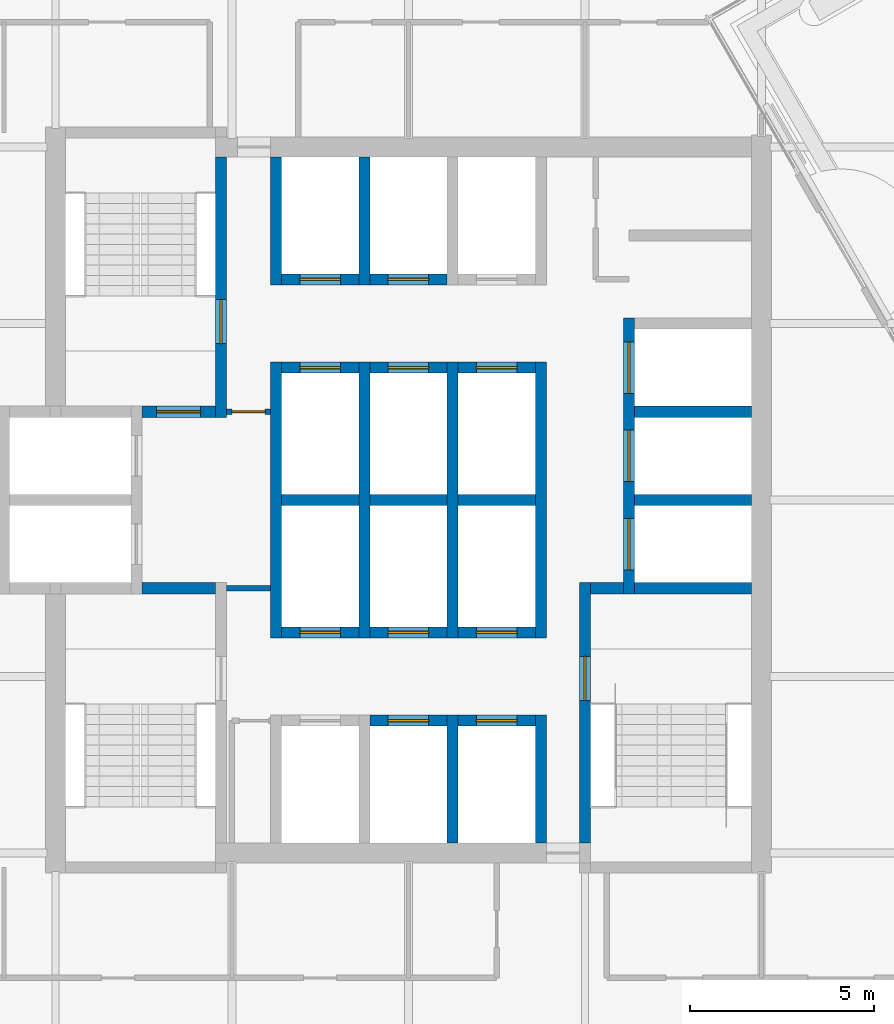
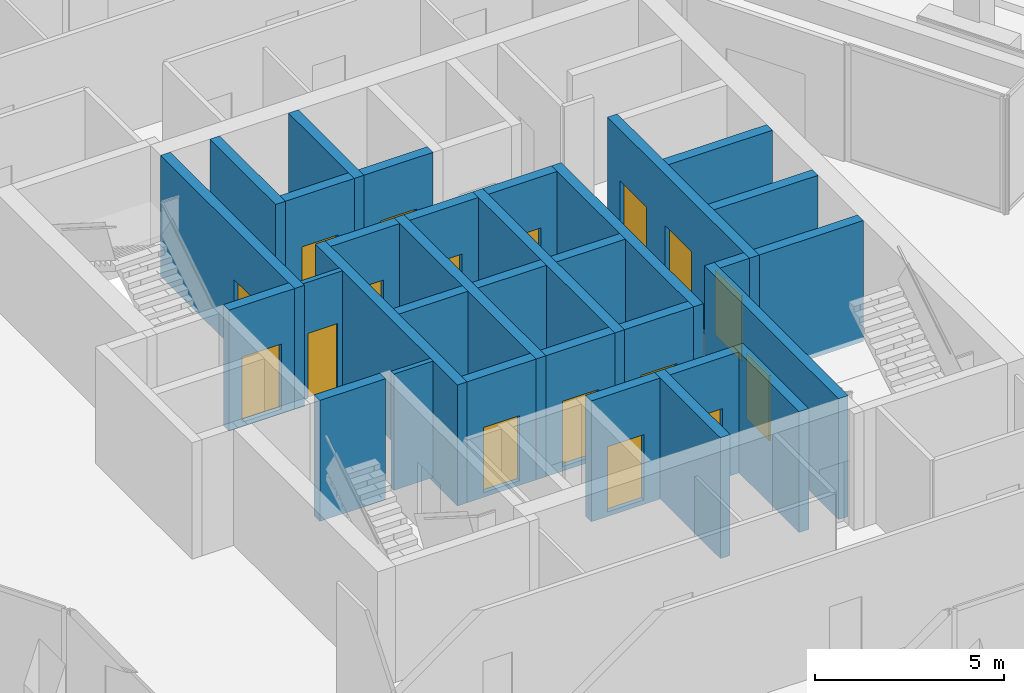
# One storey, part 12 of 17: 32 walls, 17 doors, 17 openings.
"""IFC4 building model written with IfcOpenShell, lengths in metres."""

from ifc_helpers import new_model, si_unit, direction, frame, frame_2d, origin, place, context, subcontext, project, spatial, rectangle, extrude, material, layer, layer_set, type_object, element, fill, save


model = new_model("IFC4")

# Units and contexts
model_context = context("Model", 3, precision=1e-05, world=origin(), true_north=direction((0.0, 1.0)))
body_context = subcontext(model_context, "Body", "Model", "MODEL_VIEW")
ifc_project = project(units=[si_unit("LENGTHUNIT", "METRE"), si_unit("AREAUNIT", "SQUARE_METRE"), si_unit("VOLUMEUNIT", "CUBIC_METRE"), si_unit("PLANEANGLEUNIT", "RADIAN"), si_unit("MASSUNIT", "GRAM", prefix="KILO")], contexts=[model_context])

# Site, building, storey
site_placement = place(None, origin())
site = spatial("IfcSite", under=ifc_project, at=site_placement, CompositionType="ELEMENT")
building_placement = place(site_placement, origin())
building = spatial("IfcBuilding", under=site, at=building_placement, Name="Kolab Exchange Tower", CompositionType="ELEMENT")
storey_placement = place(building_placement, frame((0.0, 0.0, 285.199951171875)))
storey = spatial("IfcBuildingStorey", under=building, at=storey_placement, Name="L64", CompositionType="ELEMENT", Elevation=285.199951171875)

# Wall, opening, door
ifc_material_1 = material(Name="Concrete C50/60", Category="concrete")
ifc_layer_1 = layer(ifc_material_1, 0.300048828125)
ifc_layer_set_1 = layer_set([ifc_layer_1], Name="Concrete C50/60")
wall_type_1 = type_object("IfcWallType", Name="LIFT SHAFT WALL 300 C50/60", PredefinedType="STANDARD", material=ifc_layer_set_1)
wall_1_placement = place(storey_placement, frame((-1.050048828125, -6.0, -0.14990234375), z_axis=(0.0, 0.0, 1.0), x_axis=(1.0, 0.0, 0.0)))
wall_1 = element("IfcWall", 1, at=wall_1_placement, inside=storey, type_object=wall_type_1, Name="wall/L64/core/004", PredefinedType="STANDARD", context=body_context, shape_type="SweptSolid", body=[
    extrude(rectangle(XDim=2.10009765625, YDim=0.300048828125, at=frame_2d((1.050048828125, 0.0))), origin(), (0.0, 0.0, 1.0), 3.89990234375),
])
opening_1_placement = place(wall_1_placement, frame((0.5, 0.0, 0.14990234375)))
opening_1 = element("IfcOpeningElement", 2, at=opening_1_placement, cuts=wall_1, Name="Opening LD1-111", PredefinedType="OPENING", context=body_context, shape_type="SweptSolid", body=[
    extrude(rectangle(XDim=1.10009765625, YDim=2.10009765625, at=frame_2d((0.550048828125, 1.050048828125))), frame((0.0, 0.16015625, 0.0), z_axis=(0.0, -1.0, 0.0), x_axis=(1.0, 0.0, 0.0)), (0.0, 0.0, 1.0), 0.320068359375),
])
ifc_material_2 = material(Name="Stainless steel 316", Category="steel")
door_type_1 = type_object("IfcDoorType", Name="LANDING DOOR 1100 PASSENGER", OperationType="DOUBLE_DOOR_SLIDING", PredefinedType="DOOR", material=ifc_material_2)
door_1_placement = place(opening_1_placement, origin())
door_1 = element("IfcDoor", 3, at=door_1_placement, inside=storey, type_object=door_type_1, Name="Landing door HR11", OperationType="DOUBLE_DOOR_SLIDING", OverallHeight=2.10009765625, OverallWidth=1.10009765625, PredefinedType="DOOR", context=body_context, shape_type="SweptSolid", body=[
    extrude(rectangle(XDim=1.10009765625, YDim=2.10009765625, at=frame_2d((0.550048828125, 1.050048828125))), frame((0.0, 0.02490234375, 0.0), z_axis=(0.0, -1.0, 0.0), x_axis=(1.0, 0.0, 0.0)), (0.0, 0.0, 1.0), 0.050048828125),
])
fill(opening_1, door_1)

wall_2_placement = place(storey_placement, frame((1.35009765625, -6.0, -0.14990234375), z_axis=(0.0, 0.0, 1.0), x_axis=(1.0, 0.0, 0.0)))
wall_2 = element("IfcWall", 4, at=wall_2_placement, inside=storey, type_object=wall_type_1, Name="wall/L64/core/005", PredefinedType="STANDARD", context=body_context, shape_type="SweptSolid", body=[
    extrude(rectangle(XDim=2.099853515625, YDim=0.300048828125, at=frame_2d((1.0498046875, 0.0))), origin(), (0.0, 0.0, 1.0), 3.89990234375),
])
opening_2_placement = place(wall_2_placement, frame((0.5, 0.0, 0.14990234375)))
opening_2 = element("IfcOpeningElement", 5, at=opening_2_placement, cuts=wall_2, Name="Opening LD1-112", PredefinedType="OPENING", context=body_context, shape_type="SweptSolid", body=[
    extrude(rectangle(XDim=1.10009765625, YDim=2.10009765625, at=frame_2d((0.550048828125, 1.050048828125))), frame((0.0, 0.16015625, 0.0), z_axis=(0.0, -1.0, 0.0), x_axis=(1.0, 0.0, 0.0)), (0.0, 0.0, 1.0), 0.320068359375),
])
door_2_placement = place(opening_2_placement, origin())
door_2 = element("IfcDoor", 6, at=door_2_placement, inside=storey, type_object=door_type_1, Name="Landing door HR12", OperationType="DOUBLE_DOOR_SLIDING", OverallHeight=2.10009765625, OverallWidth=1.10009765625, PredefinedType="DOOR", context=body_context, shape_type="SweptSolid", body=[
    extrude(rectangle(XDim=1.10009765625, YDim=2.10009765625, at=frame_2d((0.550048828125, 1.050048828125))), frame((0.0, 0.02490234375, 0.0), z_axis=(0.0, -1.0, 0.0), x_axis=(1.0, 0.0, 0.0)), (0.0, 0.0, 1.0), 0.050048828125),
])
fill(opening_2, door_2)

wall_3_placement = place(storey_placement, frame((-3.449951171875, -3.60009765625, -0.14990234375), z_axis=(0.0, 0.0, 1.0), x_axis=(1.0, 0.0, 0.0)))
wall_3 = element("IfcWall", 7, at=wall_3_placement, inside=storey, type_object=wall_type_1, Name="wall/L64/core/006", PredefinedType="STANDARD", context=body_context, shape_type="SweptSolid", body=[
    extrude(rectangle(XDim=2.099853515625, YDim=0.300048828125, at=frame_2d((1.0498046875, 0.0))), origin(), (0.0, 0.0, 1.0), 3.89990234375),
])
opening_3_placement = place(wall_3_placement, frame((0.5, 0.0, 0.14990234375)))
opening_3 = element("IfcOpeningElement", 8, at=opening_3_placement, cuts=wall_3, Name="Opening LD1-118", PredefinedType="OPENING", context=body_context, shape_type="SweptSolid", body=[
    extrude(rectangle(XDim=1.10009765625, YDim=2.10009765625, at=frame_2d((0.550048828125, 1.050048828125))), frame((0.0, 0.16015625, 0.0), z_axis=(0.0, -1.0, 0.0), x_axis=(1.0, 0.0, 0.0)), (0.0, 0.0, 1.0), 0.320068359375),
])
door_3_placement = place(opening_3_placement, origin())
door_3 = element("IfcDoor", 9, at=door_3_placement, inside=storey, type_object=door_type_1, Name="Landing door HR7", OperationType="DOUBLE_DOOR_SLIDING", OverallHeight=2.10009765625, OverallWidth=1.10009765625, PredefinedType="DOOR", context=body_context, shape_type="SweptSolid", body=[
    extrude(rectangle(XDim=1.10009765625, YDim=2.10009765625, at=frame_2d((0.550048828125, 1.050048828125))), frame((0.0, 0.02490234375, 0.0), z_axis=(0.0, -1.0, 0.0), x_axis=(1.0, 0.0, 0.0)), (0.0, 0.0, 1.0), 0.050048828125),
])
fill(opening_3, door_3)

wall_4_placement = place(storey_placement, frame((-1.050048828125, -3.60009765625, -0.14990234375), z_axis=(0.0, 0.0, 1.0), x_axis=(1.0, 0.0, 0.0)))
wall_4 = element("IfcWall", 10, at=wall_4_placement, inside=storey, type_object=wall_type_1, Name="wall/L64/core/007", PredefinedType="STANDARD", context=body_context, shape_type="SweptSolid", body=[
    extrude(rectangle(XDim=2.10009765625, YDim=0.300048828125, at=frame_2d((1.050048828125, 0.0))), origin(), (0.0, 0.0, 1.0), 3.89990234375),
])
opening_4_placement = place(wall_4_placement, frame((0.5, 0.0, 0.14990234375)))
opening_4 = element("IfcOpeningElement", 11, at=opening_4_placement, cuts=wall_4, Name="Opening LD1-119", PredefinedType="OPENING", context=body_context, shape_type="SweptSolid", body=[
    extrude(rectangle(XDim=1.10009765625, YDim=2.10009765625, at=frame_2d((0.550048828125, 1.050048828125))), frame((0.0, 0.16015625, 0.0), z_axis=(0.0, -1.0, 0.0), x_axis=(1.0, 0.0, 0.0)), (0.0, 0.0, 1.0), 0.320068359375),
])
door_4_placement = place(opening_4_placement, origin())
door_4 = element("IfcDoor", 12, at=door_4_placement, inside=storey, type_object=door_type_1, Name="Landing door HR8", OperationType="DOUBLE_DOOR_SLIDING", OverallHeight=2.10009765625, OverallWidth=1.10009765625, PredefinedType="DOOR", context=body_context, shape_type="SweptSolid", body=[
    extrude(rectangle(XDim=1.10009765625, YDim=2.10009765625, at=frame_2d((0.550048828125, 1.050048828125))), frame((0.0, 0.02490234375, 0.0), z_axis=(0.0, -1.0, 0.0), x_axis=(1.0, 0.0, 0.0)), (0.0, 0.0, 1.0), 0.050048828125),
])
fill(opening_4, door_4)

wall_5_placement = place(storey_placement, frame((1.35009765625, -3.60009765625, -0.14990234375), z_axis=(0.0, 0.0, 1.0), x_axis=(1.0, 0.0, 0.0)))
wall_5 = element("IfcWall", 13, at=wall_5_placement, inside=storey, type_object=wall_type_1, Name="wall/L64/core/008", PredefinedType="STANDARD", context=body_context, shape_type="SweptSolid", body=[
    extrude(rectangle(XDim=2.099853515625, YDim=0.300048828125, at=frame_2d((1.0498046875, 0.0))), origin(), (0.0, 0.0, 1.0), 3.89990234375),
])
opening_5_placement = place(wall_5_placement, frame((0.5, 0.0, 0.14990234375)))
opening_5 = element("IfcOpeningElement", 14, at=opening_5_placement, cuts=wall_5, Name="Opening LD1-120", PredefinedType="OPENING", context=body_context, shape_type="SweptSolid", body=[
    extrude(rectangle(XDim=1.10009765625, YDim=2.10009765625, at=frame_2d((0.550048828125, 1.050048828125))), frame((0.0, 0.16015625, 0.0), z_axis=(0.0, -1.0, 0.0), x_axis=(1.0, 0.0, 0.0)), (0.0, 0.0, 1.0), 0.320068359375),
])
door_5_placement = place(opening_5_placement, origin())
door_5 = element("IfcDoor", 15, at=door_5_placement, inside=storey, type_object=door_type_1, Name="Landing door HR9", OperationType="DOUBLE_DOOR_SLIDING", OverallHeight=2.10009765625, OverallWidth=1.10009765625, PredefinedType="DOOR", context=body_context, shape_type="SweptSolid", body=[
    extrude(rectangle(XDim=1.10009765625, YDim=2.10009765625, at=frame_2d((0.550048828125, 1.050048828125))), frame((0.0, 0.02490234375, 0.0), z_axis=(0.0, -1.0, 0.0), x_axis=(1.0, 0.0, 0.0)), (0.0, 0.0, 1.0), 0.050048828125),
])
fill(opening_5, door_5)

# Walls
wall_6_placement = place(storey_placement, frame((-3.449951171875, 0.0, -0.14990234375), z_axis=(0.0, 0.0, 1.0), x_axis=(1.0, 0.0, 0.0)))
element("IfcWall", 16, at=wall_6_placement, inside=storey, type_object=wall_type_1, Name="wall/L64/core/015", PredefinedType="STANDARD", context=body_context, shape_type="SweptSolid", body=[
    extrude(rectangle(XDim=2.099853515625, YDim=0.300048828125, at=frame_2d((1.0498046875, 0.0))), origin(), (0.0, 0.0, 1.0), 3.89990234375),
])
wall_7_placement = place(storey_placement, frame((-1.050048828125, 0.0, -0.14990234375), z_axis=(0.0, 0.0, 1.0), x_axis=(1.0, 0.0, 0.0)))
element("IfcWall", 17, at=wall_7_placement, inside=storey, type_object=wall_type_1, Name="wall/L64/core/016", PredefinedType="STANDARD", context=body_context, shape_type="SweptSolid", body=[
    extrude(rectangle(XDim=2.10009765625, YDim=0.300048828125, at=frame_2d((1.050048828125, 0.0))), origin(), (0.0, 0.0, 1.0), 3.89990234375),
])
wall_8_placement = place(storey_placement, frame((1.35009765625, 0.0, -0.14990234375), z_axis=(0.0, 0.0, 1.0), x_axis=(1.0, 0.0, 0.0)))
element("IfcWall", 18, at=wall_8_placement, inside=storey, type_object=wall_type_1, Name="wall/L64/core/017", PredefinedType="STANDARD", context=body_context, shape_type="SweptSolid", body=[
    extrude(rectangle(XDim=2.099853515625, YDim=0.300048828125, at=frame_2d((1.0498046875, 0.0))), origin(), (0.0, 0.0, 1.0), 3.89990234375),
])
for number, where, z_axis, x_axis, name in (
    (19, (6.14990234375, 0.0, -0.14990234375), (0.0, 0.0, 1.0), (1.0, 0.0, 0.0), "wall/L64/core/018"),
    (20, (6.14990234375, 2.39990234375, -0.14990234375), (0.0, 0.0, 1.0), (1.0, 0.0, 0.0), "wall/L64/core/022"),
):
    element("IfcWall", number, at=place(storey_placement, frame(where, z_axis=z_axis, x_axis=x_axis)), inside=storey, type_object=wall_type_1, Name=name, PredefinedType="STANDARD", context=body_context, shape_type="SweptSolid", body=[
        extrude(rectangle(XDim=3.175048828125, YDim=0.300048828125, at=frame_2d((1.58740234375, 0.0))), origin(), (0.0, 0.0, 1.0), 3.89990234375),
    ])

# Wall, opening, door
wall_9_placement = place(storey_placement, frame((-3.449951171875, 3.60009765625, -0.14990234375), z_axis=(0.0, 0.0, 1.0), x_axis=(1.0, 0.0, 0.0)))
wall_9 = element("IfcWall", 21, at=wall_9_placement, inside=storey, type_object=wall_type_1, Name="wall/L64/core/023", PredefinedType="STANDARD", context=body_context, shape_type="SweptSolid", body=[
    extrude(rectangle(XDim=2.099853515625, YDim=0.300048828125, at=frame_2d((1.0498046875, 0.0))), origin(), (0.0, 0.0, 1.0), 3.89990234375),
])
opening_6_placement = place(wall_9_placement, frame((0.5, 0.0, 0.14990234375)))
opening_6 = element("IfcOpeningElement", 22, at=opening_6_placement, cuts=wall_9, Name="Opening LD1-115", PredefinedType="OPENING", context=body_context, shape_type="SweptSolid", body=[
    extrude(rectangle(XDim=1.10009765625, YDim=2.10009765625, at=frame_2d((0.550048828125, 1.050048828125))), frame((0.0, 0.16015625, 0.0), z_axis=(0.0, -1.0, 0.0), x_axis=(1.0, 0.0, 0.0)), (0.0, 0.0, 1.0), 0.320068359375),
])
door_6_placement = place(opening_6_placement, origin())
door_6 = element("IfcDoor", 23, at=door_6_placement, inside=storey, type_object=door_type_1, Name="Landing door HR4", OperationType="DOUBLE_DOOR_SLIDING", OverallHeight=2.10009765625, OverallWidth=1.10009765625, PredefinedType="DOOR", context=body_context, shape_type="SweptSolid", body=[
    extrude(rectangle(XDim=1.10009765625, YDim=2.10009765625, at=frame_2d((0.550048828125, 1.050048828125))), frame((0.0, 0.02490234375, 0.0), z_axis=(0.0, -1.0, 0.0), x_axis=(1.0, 0.0, 0.0)), (0.0, 0.0, 1.0), 0.050048828125),
])
fill(opening_6, door_6)

wall_10_placement = place(storey_placement, frame((-1.050048828125, 3.60009765625, -0.14990234375), z_axis=(0.0, 0.0, 1.0), x_axis=(1.0, 0.0, 0.0)))
wall_10 = element("IfcWall", 24, at=wall_10_placement, inside=storey, type_object=wall_type_1, Name="wall/L64/core/024", PredefinedType="STANDARD", context=body_context, shape_type="SweptSolid", body=[
    extrude(rectangle(XDim=2.10009765625, YDim=0.300048828125, at=frame_2d((1.050048828125, 0.0))), origin(), (0.0, 0.0, 1.0), 3.89990234375),
])
opening_7_placement = place(wall_10_placement, frame((0.5, 0.0, 0.14990234375)))
opening_7 = element("IfcOpeningElement", 25, at=opening_7_placement, cuts=wall_10, Name="Opening LD1-116", PredefinedType="OPENING", context=body_context, shape_type="SweptSolid", body=[
    extrude(rectangle(XDim=1.10009765625, YDim=2.10009765625, at=frame_2d((0.550048828125, 1.050048828125))), frame((0.0, 0.16015625, 0.0), z_axis=(0.0, -1.0, 0.0), x_axis=(1.0, 0.0, 0.0)), (0.0, 0.0, 1.0), 0.320068359375),
])
door_7_placement = place(opening_7_placement, origin())
door_7 = element("IfcDoor", 26, at=door_7_placement, inside=storey, type_object=door_type_1, Name="Landing door HR5", OperationType="DOUBLE_DOOR_SLIDING", OverallHeight=2.10009765625, OverallWidth=1.10009765625, PredefinedType="DOOR", context=body_context, shape_type="SweptSolid", body=[
    extrude(rectangle(XDim=1.10009765625, YDim=2.10009765625, at=frame_2d((0.550048828125, 1.050048828125))), frame((0.0, 0.02490234375, 0.0), z_axis=(0.0, -1.0, 0.0), x_axis=(1.0, 0.0, 0.0)), (0.0, 0.0, 1.0), 0.050048828125),
])
fill(opening_7, door_7)

wall_11_placement = place(storey_placement, frame((1.35009765625, 3.60009765625, -0.14990234375), z_axis=(0.0, 0.0, 1.0), x_axis=(1.0, 0.0, 0.0)))
wall_11 = element("IfcWall", 27, at=wall_11_placement, inside=storey, type_object=wall_type_1, Name="wall/L64/core/025", PredefinedType="STANDARD", context=body_context, shape_type="SweptSolid", body=[
    extrude(rectangle(XDim=2.099853515625, YDim=0.300048828125, at=frame_2d((1.0498046875, 0.0))), origin(), (0.0, 0.0, 1.0), 3.89990234375),
])
opening_8_placement = place(wall_11_placement, frame((0.5, 0.0, 0.14990234375)))
opening_8 = element("IfcOpeningElement", 28, at=opening_8_placement, cuts=wall_11, Name="Opening LD1-117", PredefinedType="OPENING", context=body_context, shape_type="SweptSolid", body=[
    extrude(rectangle(XDim=1.10009765625, YDim=2.10009765625, at=frame_2d((0.550048828125, 1.050048828125))), frame((0.0, 0.16015625, 0.0), z_axis=(0.0, -1.0, 0.0), x_axis=(1.0, 0.0, 0.0)), (0.0, 0.0, 1.0), 0.320068359375),
])
door_8_placement = place(opening_8_placement, origin())
door_8 = element("IfcDoor", 29, at=door_8_placement, inside=storey, type_object=door_type_1, Name="Landing door HR6", OperationType="DOUBLE_DOOR_SLIDING", OverallHeight=2.10009765625, OverallWidth=1.10009765625, PredefinedType="DOOR", context=body_context, shape_type="SweptSolid", body=[
    extrude(rectangle(XDim=1.10009765625, YDim=2.10009765625, at=frame_2d((0.550048828125, 1.050048828125))), frame((0.0, 0.02490234375, 0.0), z_axis=(0.0, -1.0, 0.0), x_axis=(1.0, 0.0, 0.0)), (0.0, 0.0, 1.0), 0.050048828125),
])
fill(opening_8, door_8)

wall_12_placement = place(storey_placement, frame((-3.449951171875, 6.0, -0.14990234375), z_axis=(0.0, 0.0, 1.0), x_axis=(1.0, 0.0, 0.0)))
wall_12 = element("IfcWall", 30, at=wall_12_placement, inside=storey, type_object=wall_type_1, Name="wall/L64/core/027", PredefinedType="STANDARD", context=body_context, shape_type="SweptSolid", body=[
    extrude(rectangle(XDim=2.099853515625, YDim=0.300048828125, at=frame_2d((1.0498046875, 0.0))), origin(), (0.0, 0.0, 1.0), 3.89990234375),
])
opening_9_placement = place(wall_12_placement, frame((0.5, 0.0, 0.14990234375)))
opening_9 = element("IfcOpeningElement", 31, at=opening_9_placement, cuts=wall_12, Name="Opening LD1-109", PredefinedType="OPENING", context=body_context, shape_type="SweptSolid", body=[
    extrude(rectangle(XDim=1.10009765625, YDim=2.10009765625, at=frame_2d((0.550048828125, 1.050048828125))), frame((0.0, 0.16015625, 0.0), z_axis=(0.0, -1.0, 0.0), x_axis=(1.0, 0.0, 0.0)), (0.0, 0.0, 1.0), 0.320068359375),
])
door_9_placement = place(opening_9_placement, origin())
door_9 = element("IfcDoor", 32, at=door_9_placement, inside=storey, type_object=door_type_1, Name="Landing door HR1", OperationType="DOUBLE_DOOR_SLIDING", OverallHeight=2.10009765625, OverallWidth=1.10009765625, PredefinedType="DOOR", context=body_context, shape_type="SweptSolid", body=[
    extrude(rectangle(XDim=1.10009765625, YDim=2.10009765625, at=frame_2d((0.550048828125, 1.050048828125))), frame((0.0, 0.02490234375, 0.0), z_axis=(0.0, -1.0, 0.0), x_axis=(1.0, 0.0, 0.0)), (0.0, 0.0, 1.0), 0.050048828125),
])
fill(opening_9, door_9)

wall_13_placement = place(storey_placement, frame((-1.050048828125, 6.0, -0.14990234375), z_axis=(0.0, 0.0, 1.0), x_axis=(1.0, 0.0, 0.0)))
wall_13 = element("IfcWall", 33, at=wall_13_placement, inside=storey, type_object=wall_type_1, Name="wall/L64/core/028", PredefinedType="STANDARD", context=body_context, shape_type="SweptSolid", body=[
    extrude(rectangle(XDim=2.10009765625, YDim=0.300048828125, at=frame_2d((1.050048828125, 0.0))), origin(), (0.0, 0.0, 1.0), 3.89990234375),
])
opening_10_placement = place(wall_13_placement, frame((0.5, 0.0, 0.14990234375)))
opening_10 = element("IfcOpeningElement", 34, at=opening_10_placement, cuts=wall_13, Name="Opening LD1-113", PredefinedType="OPENING", context=body_context, shape_type="SweptSolid", body=[
    extrude(rectangle(XDim=1.10009765625, YDim=2.10009765625, at=frame_2d((0.550048828125, 1.050048828125))), frame((0.0, 0.16015625, 0.0), z_axis=(0.0, -1.0, 0.0), x_axis=(1.0, 0.0, 0.0)), (0.0, 0.0, 1.0), 0.320068359375),
])
door_10_placement = place(opening_10_placement, origin())
door_10 = element("IfcDoor", 35, at=door_10_placement, inside=storey, type_object=door_type_1, Name="Landing door HR2", OperationType="DOUBLE_DOOR_SLIDING", OverallHeight=2.10009765625, OverallWidth=1.10009765625, PredefinedType="DOOR", context=body_context, shape_type="SweptSolid", body=[
    extrude(rectangle(XDim=1.10009765625, YDim=2.10009765625, at=frame_2d((0.550048828125, 1.050048828125))), frame((0.0, 0.02490234375, 0.0), z_axis=(0.0, -1.0, 0.0), x_axis=(1.0, 0.0, 0.0)), (0.0, 0.0, 1.0), 0.050048828125),
])
fill(opening_10, door_10)

# Walls
wall_14_placement = place(storey_placement, frame((-3.60009765625, -3.75, -0.14990234375), z_axis=(0.0, 0.0, 1.0), x_axis=(0.0, 1.0, 0.0)))
element("IfcWall", 36, at=wall_14_placement, inside=storey, type_object=wall_type_1, Name="wall/L64/core/044", PredefinedType="STANDARD", context=body_context, shape_type="SweptSolid", body=[
    extrude(rectangle(XDim=7.5, YDim=0.300048828125, at=frame_2d((3.75, 0.0))), origin(), (0.0, 0.0, 1.0), 3.89990234375),
])
wall_15_placement = place(storey_placement, frame((-3.60009765625, 5.85009765625, -0.14990234375), z_axis=(0.0, 0.0, 1.0), x_axis=(0.0, 1.0, 0.0)))
element("IfcWall", 37, at=wall_15_placement, inside=storey, type_object=wall_type_1, Name="wall/L64/core/045", PredefinedType="STANDARD", context=body_context, shape_type="SweptSolid", body=[
    extrude(rectangle(XDim=3.474853515625, YDim=0.300048828125, at=frame_2d((1.7373046875, 0.0))), origin(), (0.0, 0.0, 1.0), 3.89990234375),
])
wall_16_placement = place(storey_placement, frame((-1.199951171875, -3.75, -0.14990234375), z_axis=(0.0, 0.0, 1.0), x_axis=(0.0, 1.0, 0.0)))
element("IfcWall", 38, at=wall_16_placement, inside=storey, type_object=wall_type_1, Name="wall/L64/core/047", PredefinedType="STANDARD", context=body_context, shape_type="SweptSolid", body=[
    extrude(rectangle(XDim=7.5, YDim=0.300048828125, at=frame_2d((3.75, 0.0))), origin(), (0.0, 0.0, 1.0), 3.89990234375),
])
for number, where, z_axis, x_axis, name in (
    (39, (-1.199951171875, 5.85009765625, -0.14990234375), (0.0, 0.0, 1.0), (0.0, 1.0, 0.0), "wall/L64/core/048"),
    (40, (1.199951171875, -9.324951171875, -0.14990234375), (0.0, 0.0, 1.0), (0.0, 1.0, 0.0), "wall/L64/core/049"),
):
    element("IfcWall", number, at=place(storey_placement, frame(where, z_axis=z_axis, x_axis=x_axis)), inside=storey, type_object=wall_type_1, Name=name, PredefinedType="STANDARD", context=body_context, shape_type="SweptSolid", body=[
        extrude(rectangle(XDim=3.474853515625, YDim=0.300048828125, at=frame_2d((1.7373046875, 0.0))), origin(), (0.0, 0.0, 1.0), 3.89990234375),
    ])
wall_17_placement = place(storey_placement, frame((1.199951171875, -3.75, -0.14990234375), z_axis=(0.0, 0.0, 1.0), x_axis=(0.0, 1.0, 0.0)))
element("IfcWall", 41, at=wall_17_placement, inside=storey, type_object=wall_type_1, Name="wall/L64/core/050", PredefinedType="STANDARD", context=body_context, shape_type="SweptSolid", body=[
    extrude(rectangle(XDim=7.5, YDim=0.300048828125, at=frame_2d((3.75, 0.0))), origin(), (0.0, 0.0, 1.0), 3.89990234375),
])
wall_18_placement = place(storey_placement, frame((3.60009765625, -9.324951171875, -0.14990234375), z_axis=(0.0, 0.0, 1.0), x_axis=(0.0, 1.0, 0.0)))
element("IfcWall", 42, at=wall_18_placement, inside=storey, type_object=wall_type_1, Name="wall/L64/core/052", PredefinedType="STANDARD", context=body_context, shape_type="SweptSolid", body=[
    extrude(rectangle(XDim=3.474853515625, YDim=0.300048828125, at=frame_2d((1.7373046875, 0.0))), origin(), (0.0, 0.0, 1.0), 3.89990234375),
])
wall_19_placement = place(storey_placement, frame((3.60009765625, -3.75, -0.14990234375), z_axis=(0.0, 0.0, 1.0), x_axis=(0.0, 1.0, 0.0)))
element("IfcWall", 43, at=wall_19_placement, inside=storey, type_object=wall_type_1, Name="wall/L64/core/053", PredefinedType="STANDARD", context=body_context, shape_type="SweptSolid", body=[
    extrude(rectangle(XDim=7.5, YDim=0.300048828125, at=frame_2d((3.75, 0.0))), origin(), (0.0, 0.0, 1.0), 3.89990234375),
])

# Wall, openings, doors
wall_20_placement = place(storey_placement, frame((6.0, -2.550048828125, -0.14990234375), z_axis=(0.0, 0.0, 1.0), x_axis=(0.0, 1.0, 0.0)))
wall_20 = element("IfcWall", 44, at=wall_20_placement, inside=storey, type_object=wall_type_1, Name="wall/L64/core/057", PredefinedType="STANDARD", context=body_context, shape_type="SweptSolid", body=[
    extrude(rectangle(XDim=7.5, YDim=0.300048828125, at=frame_2d((3.75, 0.0))), origin(), (0.0, 0.0, 1.0), 3.89990234375),
])
opening_11_placement = place(wall_20_placement, frame((0.64990234375, 0.0, 0.14990234375)))
opening_11 = element("IfcOpeningElement", 45, at=opening_11_placement, cuts=wall_20, Name="Opening LD3-037", PredefinedType="OPENING", context=body_context, shape_type="SweptSolid", body=[
    extrude(rectangle(XDim=1.39990234375, YDim=2.10009765625, at=frame_2d((0.699951171875, 1.050048828125))), frame((0.0, 0.16015625, 0.0), z_axis=(0.0, -1.0, 0.0), x_axis=(1.0, 0.0, 0.0)), (0.0, 0.0, 1.0), 0.320068359375),
])
opening_12_placement = place(wall_20_placement, frame((3.050048828125, 0.0, 0.14990234375)))
opening_12 = element("IfcOpeningElement", 46, at=opening_12_placement, cuts=wall_20, Name="Opening LD3-038", PredefinedType="OPENING", context=body_context, shape_type="SweptSolid", body=[
    extrude(rectangle(XDim=1.39990234375, YDim=2.10009765625, at=frame_2d((0.699951171875, 1.050048828125))), frame((0.0, 0.16015625, 0.0), z_axis=(0.0, -1.0, 0.0), x_axis=(1.0, 0.0, 0.0)), (0.0, 0.0, 1.0), 0.320068359375),
])
opening_13_placement = place(wall_20_placement, frame((5.449951171875, 0.0, 0.14990234375)))
opening_13 = element("IfcOpeningElement", 47, at=opening_13_placement, cuts=wall_20, Name="Opening LD3-039", PredefinedType="OPENING", context=body_context, shape_type="SweptSolid", body=[
    extrude(rectangle(XDim=1.39990234375, YDim=2.10009765625, at=frame_2d((0.699951171875, 1.050048828125))), frame((0.0, 0.16015625, 0.0), z_axis=(0.0, -1.0, 0.0), x_axis=(1.0, 0.0, 0.0)), (0.0, 0.0, 1.0), 0.320068359375),
])
door_type_2 = type_object("IfcDoorType", Name="LANDING DOOR 1400 SERVICE", OperationType="DOUBLE_DOOR_SLIDING", PredefinedType="DOOR", material=ifc_material_2)
door_11_placement = place(opening_11_placement, origin())
door_11 = element("IfcDoor", 48, at=door_11_placement, inside=storey, type_object=door_type_2, Name="Landing door SV1", OperationType="DOUBLE_DOOR_SLIDING", OverallHeight=2.10009765625, OverallWidth=1.39990234375, PredefinedType="DOOR", context=body_context, shape_type="SweptSolid", body=[
    extrude(rectangle(XDim=1.39990234375, YDim=2.10009765625, at=frame_2d((0.699951171875, 1.050048828125))), frame((0.0, 0.02490234375, 0.0), z_axis=(0.0, -1.0, 0.0), x_axis=(1.0, 0.0, 0.0)), (0.0, 0.0, 1.0), 0.050048828125),
])
fill(opening_11, door_11)
door_12_placement = place(opening_12_placement, origin())
door_12 = element("IfcDoor", 49, at=door_12_placement, inside=storey, type_object=door_type_2, Name="Landing door SV2", OperationType="DOUBLE_DOOR_SLIDING", OverallHeight=2.10009765625, OverallWidth=1.39990234375, PredefinedType="DOOR", context=body_context, shape_type="SweptSolid", body=[
    extrude(rectangle(XDim=1.39990234375, YDim=2.10009765625, at=frame_2d((0.699951171875, 1.050048828125))), frame((0.0, 0.02490234375, 0.0), z_axis=(0.0, -1.0, 0.0), x_axis=(1.0, 0.0, 0.0)), (0.0, 0.0, 1.0), 0.050048828125),
])
fill(opening_12, door_12)
door_13_placement = place(opening_13_placement, origin())
door_13 = element("IfcDoor", 50, at=door_13_placement, inside=storey, type_object=door_type_2, Name="Landing door SV3", OperationType="DOUBLE_DOOR_SLIDING", OverallHeight=2.10009765625, OverallWidth=1.39990234375, PredefinedType="DOOR", context=body_context, shape_type="SweptSolid", body=[
    extrude(rectangle(XDim=1.39990234375, YDim=2.10009765625, at=frame_2d((0.699951171875, 1.050048828125))), frame((0.0, 0.02490234375, 0.0), z_axis=(0.0, -1.0, 0.0), x_axis=(1.0, 0.0, 0.0)), (0.0, 0.0, 1.0), 0.050048828125),
])
fill(opening_13, door_13)

# Wall, opening, door
ifc_material_3 = material(Name="Gypsum board", Category="gypsum")
ifc_layer_2 = layer(ifc_material_3, 0.14990234375)
ifc_layer_set_2 = layer_set([ifc_layer_2], Name="Gypsum board")
wall_type_2 = type_object("IfcWallType", Name="PARTITION 150 FIRE-RATED", PredefinedType="PARTITIONING", material=ifc_layer_set_2)
wall_21_placement = place(storey_placement, frame((-4.949951171875, 2.39990234375, 0.0), z_axis=(0.0, 0.0, 1.0), x_axis=(1.0, 0.0, 0.0)))
wall_21 = element("IfcWall", 51, at=wall_21_placement, inside=storey, type_object=wall_type_2, Name="Fire partition", PredefinedType="PARTITIONING", context=body_context, shape_type="SweptSolid", body=[
    extrude(rectangle(XDim=1.199951171875, YDim=0.14990234375, at=frame_2d((0.60009765625, 0.0))), origin(), (0.0, 0.0, 1.0), 3.75),
])
opening_14_placement = place(wall_21_placement, frame((0.14990234375, 0.0, 0.0)))
opening_14 = element("IfcOpeningElement", 52, at=opening_14_placement, cuts=wall_21, Name="Opening D6-288", PredefinedType="OPENING", context=body_context, shape_type="SweptSolid", body=[
    extrude(rectangle(XDim=0.89990234375, YDim=2.10009765625, at=frame_2d((0.449951171875, 1.050048828125))), frame((0.0, 0.0849609375, 0.0), z_axis=(0.0, -1.0, 0.0), x_axis=(1.0, 0.0, 0.0)), (0.0, 0.0, 1.0), 0.169921875),
])
ifc_material_4 = material(Name="Steel S235", Category="steel")
door_type_3 = type_object("IfcDoorType", Name="CORE DOOR 900 EI 120", OperationType="SINGLE_SWING_LEFT", PredefinedType="DOOR", material=ifc_material_4)
door_14_placement = place(opening_14_placement, frame((0.89990234375, 0.0, 0.0), z_axis=(0.0, 0.0, 1.0), x_axis=(-1.0, 0.0, 0.0)))
door_14 = element("IfcDoor", 53, at=door_14_placement, inside=storey, type_object=door_type_3, Name="Firefighting lobby door", OperationType="SINGLE_SWING_RIGHT", OverallHeight=2.10009765625, OverallWidth=0.89990234375, PredefinedType="DOOR", context=body_context, shape_type="SweptSolid", body=[
    extrude(rectangle(XDim=0.89990234375, YDim=2.10009765625, at=frame_2d((0.449951171875, 1.050048828125))), frame((0.0, 0.02490234375, 0.0), z_axis=(0.0, -1.0, 0.0), x_axis=(1.0, 0.0, 0.0)), (0.0, 0.0, 1.0), 0.050048828125),
])
fill(opening_14, door_14)

# Walls
wall_22_placement = place(storey_placement, frame((-4.949951171875, -2.39990234375, 0.0), z_axis=(0.0, 0.0, 1.0), x_axis=(1.0, 0.0, 0.0)))
element("IfcWall", 54, at=wall_22_placement, inside=storey, type_object=wall_type_2, Name="Fire partition", PredefinedType="PARTITIONING", context=body_context, shape_type="SweptSolid", body=[
    extrude(rectangle(XDim=1.199951171875, YDim=0.14990234375, at=frame_2d((0.60009765625, 0.0))), origin(), (0.0, 0.0, 1.0), 3.75),
])
ifc_layer_3 = layer(ifc_material_1, 0.300048828125)
ifc_layer_set_3 = layer_set([ifc_layer_3], Name="Concrete C50/60")
wall_type_3 = type_object("IfcWallType", Name="STAIR ENCLOSURE WALL 300 C50/60", PredefinedType="STANDARD", material=ifc_layer_set_3)
wall_23_placement = place(storey_placement, frame((-7.25, -2.39990234375, -0.14990234375), z_axis=(0.0, 0.0, 1.0), x_axis=(1.0, 0.0, 0.0)))
element("IfcWall", 55, at=wall_23_placement, inside=storey, type_object=wall_type_3, Name="wall/L64/core/011", PredefinedType="STANDARD", context=body_context, shape_type="SweptSolid", body=[
    extrude(rectangle(XDim=2.0, YDim=0.300048828125, at=frame_2d((1.0, 0.0))), origin(), (0.0, 0.0, 1.0), 3.89990234375),
])
wall_24_placement = place(storey_placement, frame((4.949951171875, -2.39990234375, -0.14990234375), z_axis=(0.0, 0.0, 1.0), x_axis=(1.0, 0.0, 0.0)))
element("IfcWall", 56, at=wall_24_placement, inside=storey, type_object=wall_type_3, Name="wall/L64/core/012", PredefinedType="STANDARD", context=body_context, shape_type="SweptSolid", body=[
    extrude(rectangle(XDim=0.900146484375, YDim=0.300048828125, at=frame_2d((0.4501953125, 0.0))), origin(), (0.0, 0.0, 1.0), 3.89990234375),
])
wall_25_placement = place(storey_placement, frame((6.14990234375, -2.39990234375, -0.14990234375), z_axis=(0.0, 0.0, 1.0), x_axis=(1.0, 0.0, 0.0)))
element("IfcWall", 57, at=wall_25_placement, inside=storey, type_object=wall_type_3, Name="wall/L64/core/013", PredefinedType="STANDARD", context=body_context, shape_type="SweptSolid", body=[
    extrude(rectangle(XDim=3.175048828125, YDim=0.300048828125, at=frame_2d((1.58740234375, 0.0))), origin(), (0.0, 0.0, 1.0), 3.89990234375),
])

# Wall, opening, door
wall_26_placement = place(storey_placement, frame((-7.25, 2.39990234375, -0.14990234375), z_axis=(0.0, 0.0, 1.0), x_axis=(1.0, 0.0, 0.0)))
wall_26 = element("IfcWall", 58, at=wall_26_placement, inside=storey, type_object=wall_type_3, Name="wall/L64/core/021", PredefinedType="STANDARD", context=body_context, shape_type="SweptSolid", body=[
    extrude(rectangle(XDim=2.0, YDim=0.300048828125, at=frame_2d((1.0, 0.0))), origin(), (0.0, 0.0, 1.0), 3.89990234375),
])
opening_15_placement = place(wall_26_placement, frame((0.39990234375, 0.0, 0.14990234375)))
opening_15 = element("IfcOpeningElement", 59, at=opening_15_placement, cuts=wall_26, Name="Opening D4-065", PredefinedType="OPENING", context=body_context, shape_type="SweptSolid", body=[
    extrude(rectangle(XDim=1.199951171875, YDim=2.10009765625, at=frame_2d((0.60009765625, 1.050048828125))), frame((0.0, 0.16015625, 0.0), z_axis=(0.0, -1.0, 0.0), x_axis=(1.0, 0.0, 0.0)), (0.0, 0.0, 1.0), 0.320068359375),
])
door_type_4 = type_object("IfcDoorType", Name="STAIR DOOR 1200 EI 120", OperationType="SINGLE_SWING_LEFT", PredefinedType="DOOR", material=ifc_material_4)
door_15_placement = place(opening_15_placement, origin())
door_15 = element("IfcDoor", 60, at=door_15_placement, inside=storey, type_object=door_type_4, Name="Stair 1 door", OperationType="SINGLE_SWING_RIGHT", OverallHeight=2.10009765625, OverallWidth=1.199951171875, PredefinedType="DOOR", context=body_context, shape_type="SweptSolid", body=[
    extrude(rectangle(XDim=1.199951171875, YDim=2.10009765625, at=frame_2d((0.60009765625, 1.050048828125))), frame((0.0, 0.02490234375, 0.0), z_axis=(0.0, -1.0, 0.0), x_axis=(1.0, 0.0, 0.0)), (0.0, 0.0, 1.0), 0.050048828125),
])
fill(opening_15, door_15)

wall_27_placement = place(storey_placement, frame((-5.10009765625, 2.25, -0.14990234375), z_axis=(0.0, 0.0, 1.0), x_axis=(0.0, 1.0, 0.0)))
wall_27 = element("IfcWall", 61, at=wall_27_placement, inside=storey, type_object=wall_type_3, Name="wall/L64/core/041", PredefinedType="STANDARD", context=body_context, shape_type="SweptSolid", body=[
    extrude(rectangle(XDim=7.074951171875, YDim=0.300048828125, at=frame_2d((3.53759765625, 0.0))), origin(), (0.0, 0.0, 1.0), 3.89990234375),
])
opening_16_placement = place(wall_27_placement, frame((2.0, 0.0, 0.14990234375)))
opening_16 = element("IfcOpeningElement", 62, at=opening_16_placement, cuts=wall_27, Name="Opening D4-076", PredefinedType="OPENING", context=body_context, shape_type="SweptSolid", body=[
    extrude(rectangle(XDim=1.199951171875, YDim=2.10009765625, at=frame_2d((0.60009765625, 1.050048828125))), frame((0.0, 0.16015625, 0.0), z_axis=(0.0, -1.0, 0.0), x_axis=(1.0, 0.0, 0.0)), (0.0, 0.0, 1.0), 0.320068359375),
])
door_16_placement = place(opening_16_placement, origin())
door_16 = element("IfcDoor", 63, at=door_16_placement, inside=storey, type_object=door_type_4, Name="Stair 1 door", OperationType="SINGLE_SWING_LEFT", OverallHeight=2.10009765625, OverallWidth=1.199951171875, PredefinedType="DOOR", context=body_context, shape_type="SweptSolid", body=[
    extrude(rectangle(XDim=1.199951171875, YDim=2.10009765625, at=frame_2d((0.60009765625, 1.050048828125))), frame((0.0, 0.02490234375, 0.0), z_axis=(0.0, -1.0, 0.0), x_axis=(1.0, 0.0, 0.0)), (0.0, 0.0, 1.0), 0.050048828125),
])
fill(opening_16, door_16)

wall_28_placement = place(storey_placement, frame((4.800048828125, -9.324951171875, -0.14990234375), z_axis=(0.0, 0.0, 1.0), x_axis=(0.0, 1.0, 0.0)))
wall_28 = element("IfcWall", 64, at=wall_28_placement, inside=storey, type_object=wall_type_3, Name="wall/L64/core/056", PredefinedType="STANDARD", context=body_context, shape_type="SweptSolid", body=[
    extrude(rectangle(XDim=7.074951171875, YDim=0.300048828125, at=frame_2d((3.53759765625, 0.0))), origin(), (0.0, 0.0, 1.0), 3.89990234375),
])
opening_17_placement = place(wall_28_placement, frame((3.875, 0.0, 0.14990234375)))
opening_17 = element("IfcOpeningElement", 65, at=opening_17_placement, cuts=wall_28, Name="Opening D4-077", PredefinedType="OPENING", context=body_context, shape_type="SweptSolid", body=[
    extrude(rectangle(XDim=1.199951171875, YDim=2.10009765625, at=frame_2d((0.60009765625, 1.050048828125))), frame((0.0, 0.16015625, 0.0), z_axis=(0.0, -1.0, 0.0), x_axis=(1.0, 0.0, 0.0)), (0.0, 0.0, 1.0), 0.320068359375),
])
door_17_placement = place(opening_17_placement, frame((1.199951171875, 0.0, 0.0), z_axis=(0.0, 0.0, 1.0), x_axis=(-1.0, 0.0, 0.0)))
door_17 = element("IfcDoor", 66, at=door_17_placement, inside=storey, type_object=door_type_4, Name="Stair 2 door", OperationType="SINGLE_SWING_RIGHT", OverallHeight=2.10009765625, OverallWidth=1.199951171875, PredefinedType="DOOR", context=body_context, shape_type="SweptSolid", body=[
    extrude(rectangle(XDim=1.199951171875, YDim=2.10009765625, at=frame_2d((0.60009765625, 1.050048828125))), frame((0.0, 0.02490234375, 0.0), z_axis=(0.0, -1.0, 0.0), x_axis=(1.0, 0.0, 0.0)), (0.0, 0.0, 1.0), 0.050048828125),
])
fill(opening_17, door_17)

save(model, "model.ifc")
